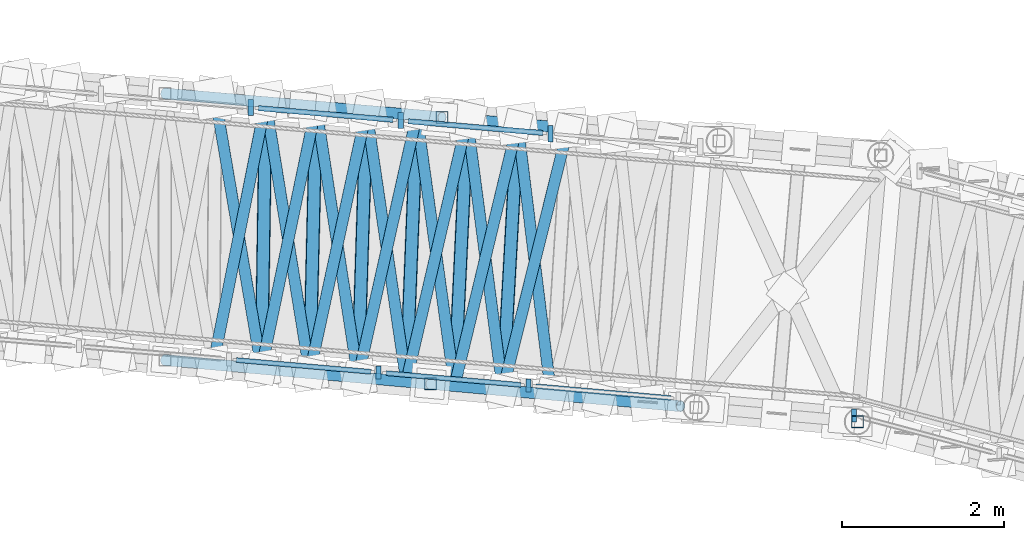
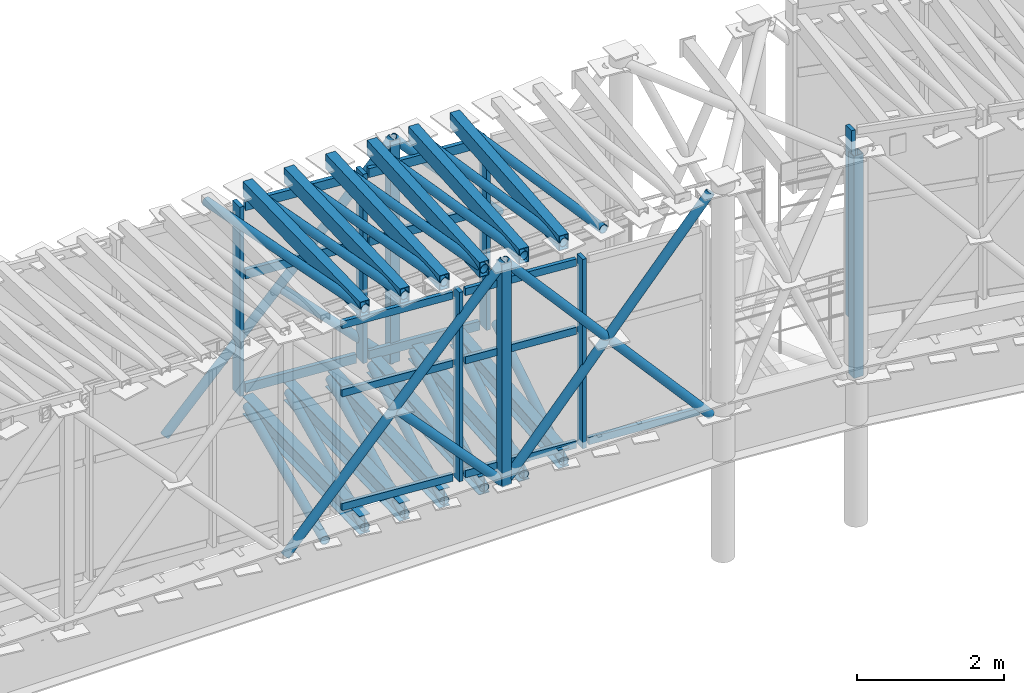
# One storey, part 56 of 144: 50 members, 6 beams, 3 elements without a shape of their own.
"""IFC4 building model written with IfcOpenShell, lengths in metres."""

from ifc_helpers import new_model, si_unit, direction, frame, origin, origin_2d, place, context, subcontext, project, spatial, rectangle, hollow_rectangle, hollow_circle, i_section, extrude, material, material_profile, profile_set, type_object, element, aggregate, save


model = new_model("IFC4")

# Units and contexts
model_context = context("Model", 3, precision=1e-05, world=origin(), true_north=direction((0.0, 1.0)))
body_context = subcontext(model_context, "Body", "Model", "MODEL_VIEW")
ifc_project = project(units=[si_unit("LENGTHUNIT", "METRE"), si_unit("AREAUNIT", "SQUARE_METRE"), si_unit("VOLUMEUNIT", "CUBIC_METRE"), si_unit("PLANEANGLEUNIT", "RADIAN"), si_unit("MASSUNIT", "GRAM", prefix="KILO")], contexts=[model_context])

# Site, building, storey
site_placement = place(None, origin())
site = spatial("IfcSite", under=ifc_project, at=site_placement, CompositionType="ELEMENT")
building_placement = place(site_placement, origin())
building = spatial("IfcBuilding", under=site, at=building_placement, Name="Cinderbank Siding Concert Hall", CompositionType="ELEMENT")
storey_placement = place(building_placement, frame((0.0, 0.0, 5.39990234375)))
storey = spatial("IfcBuildingStorey", under=building, at=storey_placement, Name="L02", CompositionType="ELEMENT", Elevation=5.39990234375)

# Members
ifc_material_1 = material(Name="Structural steel hollow section AS/NZS 1163 Grade C350L0 (350 MPa)", Category="steel")
ifc_material_profile_1 = material_profile(ifc_material_1, hollow_circle(Radius=0.06982421875, WallThickness=0.00634765625, at=origin_2d()), Name="139.7x6.4CHS", Category="LoadBearing")
ifc_profile_set_1 = profile_set([ifc_material_profile_1], Name="Structural steel hollow section AS/NZS 1163 Grade C350L0 (350 MPa)")
member_type_1 = type_object("IfcMemberType", Name="BR-CHS139 139.7x6.4CHS Roof Truss", PredefinedType="BRACE", material=ifc_profile_set_1)
member_1_placement = place(storey_placement, frame((86.031982421875, 101.85009765625, 1.9501953125), z_axis=(0.654371475535, -0.05611969024, 0.754087894329), x_axis=(0.085447554009, 0.996342669725, 0.0)))
element("IfcMember", 1, at=member_1_placement, inside=storey, type_object=member_type_1, Name="L02 Diagonal Brace BR-CHS139 #BRDL-BR-CHS139-L02-0246", PredefinedType="BRACE", context=body_context, shape_type="SweptSolid", body=[
    extrude(hollow_circle(Radius=0.06982421875, WallThickness=0.00634765625, at=origin_2d()), origin(), (0.0, 0.0, 1.0), 5.224853515625),
])
member_2_placement = place(storey_placement, frame((87.751953125, 101.70263671875, 3.909423828125), z_axis=(0.701628131288, -0.060191406004, -0.709996450716), x_axis=(0.085474235884, 0.996340381095, 0.0)))
element("IfcMember", 2, at=member_2_placement, inside=storey, type_object=member_type_1, Name="L02 Diagonal Brace BR-CHS139 #BRDL-BR-CHS139-L02-0247-S27", PredefinedType="BRACE", context=body_context, shape_type="SweptSolid", body=[
    extrude(hollow_circle(Radius=0.06982421875, WallThickness=0.00634765625, at=origin_2d()), origin(), (0.0, 0.0, 1.0), 2.42138671875),
])
member_3_placement = place(storey_placement, frame((89.450927734375, 101.556884765625, 5.89013671875), z_axis=(0.679792345426, -0.05822654655, -0.731089622671), x_axis=(0.085340950407, 0.996351806434, 0.0)))
element("IfcMember", 3, at=member_3_placement, inside=storey, type_object=member_type_1, Name="L02 Diagonal Brace BR-CHS139 #BRDL-BR-CHS139-L02-0250", PredefinedType="BRACE", context=body_context, shape_type="SweptSolid", body=[
    extrude(hollow_circle(Radius=0.06982421875, WallThickness=0.00634765625, at=origin_2d()), origin(), (0.0, 0.0, 1.0), 2.360595703125),
])
member_4_placement = place(storey_placement, frame((86.031982421875, 98.5625, 1.9501953125), z_axis=(0.638262095011, -0.057037806657, 0.767703189184), x_axis=(0.089009532551, 0.996030774181, 0.0)))
element("IfcMember", 4, at=member_4_placement, inside=storey, type_object=member_type_1, Name="L02 Diagonal Brace BR-CHS139 #BRDR-BR-CHS139-L02-0258", PredefinedType="BRACE", context=body_context, shape_type="SweptSolid", body=[
    extrude(hollow_circle(Radius=0.06982421875, WallThickness=0.00634765625, at=origin_2d()), origin(), (0.0, 0.0, 1.0), 5.132080078125),
])
member_5_placement = place(storey_placement, frame((87.679931640625, 98.415283203125, 3.9091796875), z_axis=(0.686263594995, -0.061348897948, -0.724761057801), x_axis=(0.089040452124, 0.996028010593, 0.0)))
element("IfcMember", 5, at=member_5_placement, inside=storey, type_object=member_type_1, Name="L02 Diagonal Brace BR-CHS139 #BRDR-BR-CHS139-L02-0259-S31", PredefinedType="BRACE", context=body_context, shape_type="SweptSolid", body=[
    extrude(hollow_circle(Radius=0.06982421875, WallThickness=0.00634765625, at=origin_2d()), origin(), (0.0, 0.0, 1.0), 2.371826171875),
])
member_6_placement = place(storey_placement, frame((89.3076171875, 98.269775390625, 2.190185546875), z_axis=(0.617059853784, -0.055160005915, 0.784980579757), x_axis=(0.089036629861, 0.996028352279, 0.0)))
element("IfcMember", 6, at=member_6_placement, inside=storey, type_object=member_type_1, Name="L02 Diagonal Brace BR-CHS139 #BRDR-BR-CHS139-L02-0261", PredefinedType="BRACE", context=body_context, shape_type="SweptSolid", body=[
    extrude(hollow_circle(Radius=0.06982421875, WallThickness=0.00634765625, at=origin_2d()), origin(), (0.0, 0.0, 1.0), 5.00146484375),
])
for number, where, z_axis, x_axis, name in (
    (7, (89.3076171875, 98.269775390625, 5.89013671875), (0.662987920877, -0.059225513314, -0.746283696287), (0.088976894944, 0.996033690277, 0.0), "L02 Diagonal Brace BR-CHS139 #BRDR-BR-CHS139-L02-0262"),
    (8, (90.860595703125, 98.130859375, 4.14208984375), (0.662987920877, -0.059225513314, -0.746283696287), (0.088976894944, 0.996033690277, 0.0), "L02 Diagonal Brace BR-CHS139 #BRDR-BR-CHS139-L02-0262-S32"),
):
    element("IfcMember", number, at=place(storey_placement, frame(where, z_axis=z_axis, x_axis=x_axis)), inside=storey, type_object=member_type_1, Name=name, PredefinedType="BRACE", context=body_context, shape_type="SweptSolid", body=[
        extrude(hollow_circle(Radius=0.06982421875, WallThickness=0.00634765625, at=origin_2d()), origin(), (0.0, 0.0, 1.0), 2.3125),
    ])
member_7_placement = place(storey_placement, frame((86.62744140625, 98.50927734375, 2.023681640625), z_axis=(0.196426271364, 0.980429094484, 0.013248041663), x_axis=(-0.980515143664, 0.196443511081, 0.0)))
element("IfcMember", 9, at=member_7_placement, inside=storey, type_object=member_type_1, Name="L02 Diagonal Brace BR-CHS139 #BRST-BR-CHS139-L02-0298", PredefinedType="BRACE", context=body_context, shape_type="SweptSolid", body=[
    extrude(hollow_circle(Radius=0.06982421875, WallThickness=0.00634765625, at=origin_2d()), origin(), (0.0, 0.0, 1.0), 3.298583984375),
])
member_8_placement = place(storey_placement, frame((86.653564453125, 101.796630859375, 5.663818359375), z_axis=(0.168063938253, -0.985691756157, 0.012894747084), x_axis=(0.985773714081, 0.168077912369, 0.0)))
element("IfcMember", 10, at=member_8_placement, inside=storey, type_object=member_type_1, Name="L02 Diagonal Brace BR-CHS139 #BRXR-BR-CHS139-L02-0299", PredefinedType="BRACE", context=body_context, shape_type="SweptSolid", body=[
    extrude(hollow_circle(Radius=0.06982421875, WallThickness=0.00634765625, at=origin_2d()), origin(), (0.0, 0.0, 1.0), 3.38916015625),
])
member_9_placement = place(storey_placement, frame((87.22314453125, 98.4560546875, 2.0673828125), z_axis=(0.203951165807, 0.978891700525, 0.013227267638), x_axis=(-0.978977345508, 0.203969009859, 0.0)))
element("IfcMember", 11, at=member_9_placement, inside=storey, type_object=member_type_1, Name="L02 Diagonal Brace BR-CHS139 #BRST-BR-CHS139-L02-0301", PredefinedType="BRACE", context=body_context, shape_type="SweptSolid", body=[
    extrude(hollow_circle(Radius=0.06982421875, WallThickness=0.00634765625, at=origin_2d()), origin(), (0.0, 0.0, 1.0), 3.303955078125),
])
member_10_placement = place(storey_placement, frame((87.275390625, 101.743408203125, 5.70751953125), z_axis=(0.160489137627, -0.986954098942, 0.01283913101), x_axis=(0.987035455379, 0.160502367041, 0.0)))
element("IfcMember", 12, at=member_10_placement, inside=storey, type_object=member_type_1, Name="L02 Diagonal Brace BR-CHS139 #BRXR-BR-CHS139-L02-0302", PredefinedType="BRACE", context=body_context, shape_type="SweptSolid", body=[
    extrude(hollow_circle(Radius=0.06982421875, WallThickness=0.00634765625, at=origin_2d()), origin(), (0.0, 0.0, 1.0), 3.384765625),
])
member_11_placement = place(storey_placement, frame((87.818603515625, 98.40283203125, 2.111083984375), z_axis=(0.211510765225, 0.977287445742, 0.013131815909), x_axis=(-0.977371720608, 0.211529004528, 0.0)))
element("IfcMember", 13, at=member_11_placement, inside=storey, type_object=member_type_1, Name="L02 Diagonal Brace BR-CHS139 #BRST-BR-CHS139-L02-0304", PredefinedType="BRACE", context=body_context, shape_type="SweptSolid", body=[
    extrude(hollow_circle(Radius=0.06982421875, WallThickness=0.00634765625, at=origin_2d()), origin(), (0.0, 0.0, 1.0), 3.309326171875),
])
member_12_placement = place(storey_placement, frame((87.89697265625, 101.690185546875, 5.7509765625), z_axis=(0.153026631241, -0.988137515462, 0.012926742328), x_axis=(0.98822008503, 0.153039418269, 0.0)))
element("IfcMember", 14, at=member_12_placement, inside=storey, type_object=member_type_1, Name="L02 Diagonal Brace BR-CHS139 #BRXR-BR-CHS139-L02-0305", PredefinedType="BRACE", context=body_context, shape_type="SweptSolid", body=[
    extrude(hollow_circle(Radius=0.06982421875, WallThickness=0.00634765625, at=origin_2d()), origin(), (0.0, 0.0, 1.0), 3.380615234375),
])
member_13_placement = place(storey_placement, frame((88.414306640625, 98.349609375, 2.154541015625), z_axis=(0.218977803346, 0.975640761224, 0.013184334611), x_axis=(-0.975725568478, 0.21899683792, 0.0)))
element("IfcMember", 15, at=member_13_placement, inside=storey, type_object=member_type_1, Name="L02 Diagonal Brace BR-CHS139 #BRST-BR-CHS139-L02-0307", PredefinedType="BRACE", context=body_context, shape_type="SweptSolid", body=[
    extrude(hollow_circle(Radius=0.06982421875, WallThickness=0.00634765625, at=origin_2d()), origin(), (0.0, 0.0, 1.0), 3.314697265625),
])
member_14_placement = place(storey_placement, frame((88.5185546875, 101.636962890625, 5.794677734375), z_axis=(0.145467235652, -0.98927842218, 0.012941667585), x_axis=(0.989361278107, 0.1454794191, 0.0)))
element("IfcMember", 16, at=member_14_placement, inside=storey, type_object=member_type_1, Name="L02 Diagonal Brace BR-CHS139 #BRXR-BR-CHS139-L02-0308", PredefinedType="BRACE", context=body_context, shape_type="SweptSolid", body=[
    extrude(hollow_circle(Radius=0.06982421875, WallThickness=0.00634765625, at=origin_2d()), origin(), (0.0, 0.0, 1.0), 3.376708984375),
])
member_15_placement = place(storey_placement, frame((89.009765625, 98.29638671875, 2.1982421875), z_axis=(0.226445216186, 0.973934993123, 0.013160290161), x_axis=(-0.974019343557, 0.226464828124, 0.0)))
element("IfcMember", 17, at=member_15_placement, inside=storey, type_object=member_type_1, Name="L02 Diagonal Brace BR-CHS139 #BRST-BR-CHS139-L02-0310", PredefinedType="BRACE", context=body_context, shape_type="SweptSolid", body=[
    extrude(hollow_circle(Radius=0.06982421875, WallThickness=0.00634765625, at=origin_2d()), origin(), (0.0, 0.0, 1.0), 3.32080078125),
])
member_16_placement = place(storey_placement, frame((89.14013671875, 101.58349609375, 5.83837890625), z_axis=(0.137892290535, -0.990363422098, 0.012884423997), x_axis=(0.990445636649, 0.137903737598, 0.0)))
element("IfcMember", 18, at=member_16_placement, inside=storey, type_object=member_type_1, Name="L02 Diagonal Brace BR-CHS139 #BRXR-BR-CHS139-L02-0311", PredefinedType="BRACE", context=body_context, shape_type="SweptSolid", body=[
    extrude(hollow_circle(Radius=0.06982421875, WallThickness=0.00634765625, at=origin_2d()), origin(), (0.0, 0.0, 1.0), 3.372802734375),
])
member_17_placement = place(storey_placement, frame((89.605224609375, 98.2431640625, 2.241943359375), z_axis=(0.233974545558, 0.972153961878, 0.013137215701), x_axis=(-0.972237863032, 0.233994738589, 0.0)))
element("IfcMember", 19, at=member_17_placement, inside=storey, type_object=member_type_1, Name="L02 Diagonal Brace BR-CHS139 #BRST-BR-CHS139-L02-0313", PredefinedType="BRACE", context=body_context, shape_type="SweptSolid", body=[
    extrude(hollow_circle(Radius=0.06982421875, WallThickness=0.00634765625, at=origin_2d()), origin(), (0.0, 0.0, 1.0), 3.326416015625),
])
member_18_placement = place(storey_placement, frame((89.76171875, 101.530517578125, 5.8818359375), z_axis=(0.13027298238, -0.991393335876, 0.012969334731), x_axis=(0.991476724381, 0.130283939957, 0.0)))
element("IfcMember", 20, at=member_18_placement, inside=storey, type_object=member_type_1, Name="L02 Diagonal Brace BR-CHS139 #BRXR-BR-CHS139-L02-0314", PredefinedType="BRACE", context=body_context, shape_type="SweptSolid", body=[
    extrude(hollow_circle(Radius=0.06982421875, WallThickness=0.00634765625, at=origin_2d()), origin(), (0.0, 0.0, 1.0), 3.36962890625),
])
member_19_placement = place(storey_placement, frame((90.20068359375, 98.18994140625, 2.28564453125), z_axis=(0.24137722194, 0.97034375776, 0.013039497877), x_axis=(-0.97042626133, 0.241397745061, 0.0)))
element("IfcMember", 21, at=member_19_placement, inside=storey, type_object=member_type_1, Name="L02 Diagonal Brace BR-CHS139 #BRST-BR-CHS139-L02-0316", PredefinedType="BRACE", context=body_context, shape_type="SweptSolid", body=[
    extrude(hollow_circle(Radius=0.06982421875, WallThickness=0.00634765625, at=origin_2d()), origin(), (0.0, 0.0, 1.0), 3.332763671875),
])
member_20_placement = place(storey_placement, frame((90.383544921875, 101.47705078125, 5.925537109375), z_axis=(0.122649425701, -0.992365134502, 0.01298299657), x_axis=(0.992448780717, 0.122659763791, 0.0)))
element("IfcMember", 22, at=member_20_placement, inside=storey, type_object=member_type_1, Name="L02 Diagonal Brace BR-CHS139 #BRXR-BR-CHS139-L02-0317", PredefinedType="BRACE", context=body_context, shape_type="SweptSolid", body=[
    extrude(hollow_circle(Radius=0.06982421875, WallThickness=0.00634765625, at=origin_2d()), origin(), (0.0, 0.0, 1.0), 3.365966796875),
])
ifc_material_profile_2 = material_profile(ifc_material_1, hollow_rectangle(XDim=0.14990234375, YDim=0.14990234375, WallThickness=0.008056640625, at=origin_2d()), Name="150x150x8.0SHS", Category="LoadBearing")
ifc_profile_set_2 = profile_set([ifc_material_profile_2], Name="Structural steel hollow section AS/NZS 1163 Grade C350L0 (350 MPa)")
member_type_2 = type_object("IfcMemberType", Name="BR-SHS150 150x150x8.0SHS Roof Truss", PredefinedType="BRACE", material=ifc_profile_set_2)
for number, where, z_axis, x_axis, name in (
    (23, (89.450927734375, 101.556884765625, 2.190185546875), (0.0, 0.0, 1.0), (1.0, 0.0, 0.0), "L02 Diagonal Brace BR-SHS150 #BRVL-BR-SHS150-L02-0248"),
    (24, (89.3076171875, 98.269775390625, 2.190185546875), (0.0, 0.0, 1.0), (1.0, 0.0, 0.0), "L02 Diagonal Brace BR-SHS150 #BRVR-BR-SHS150-L02-0260"),
    (25, (94.574951171875, 97.802001953125, 2.43017578125), (0.0, 0.0, 1.0), (1.0, 0.0, 0.0), "L02 Diagonal Brace BR-SHS150 #BRVR-BR-SHS150-L02-0351"),
):
    element("IfcMember", number, at=place(storey_placement, frame(where, z_axis=z_axis, x_axis=x_axis)), inside=storey, type_object=member_type_2, Name=name, PredefinedType="BRACE", context=body_context, shape_type="SweptSolid", body=[
        extrude(hollow_rectangle(XDim=0.14990234375, YDim=0.14990234375, WallThickness=0.008056640625, at=origin_2d()), origin(), (0.0, 0.0, 1.0), 3.699951171875),
    ])

# Curtain wall, members
ifc_material_2 = material(Name="Anodised aluminium alloy 6063-T6", Category="aluminium")
curtain_wall_type = type_object("IfcCurtainWallType", Name="CW-15 Unitised Acoustic Curtain Wall 12800x3200", PredefinedType="NOTDEFINED", material=ifc_material_2)
curtain_wall_1_placement = place(storey_placement, origin())
curtain_wall_1 = element("IfcCurtainWall", 26, at=curtain_wall_1_placement, inside=storey, type_object=curtain_wall_type, Name="L02 Curtain Wall CW-15 #158", PredefinedType="NOTDEFINED")
ifc_material_profile_3 = material_profile(ifc_material_2, rectangle(XDim=0.06005859375, YDim=0.159912109375, at=origin_2d()), Name="ALU-MULL-60x160", Category="LoadBearing")
ifc_profile_set_3 = profile_set([ifc_material_profile_3], Name="Anodised aluminium alloy 6063-T6")
member_type_3 = type_object("IfcMemberType", Name="CW-ML1 Mullion 60x160", PredefinedType="MULLION", material=ifc_profile_set_3)
member_21_placement = place(storey_placement, frame((88.668212890625, 98.409423828125, 2.400146484375), z_axis=(0.0, 0.0, 1.0), x_axis=(1.0, 0.0, 0.0)))
member_21 = element("IfcMember", 27, at=member_21_placement, type_object=member_type_3, Name="CW-L02-158 Mullion 5", PredefinedType="MULLION", context=body_context, shape_type="SweptSolid", body=[
    extrude(rectangle(XDim=0.06005859375, YDim=0.159912109375, at=origin_2d()), origin(), (0.0, 0.0, 1.0), 3.14990234375),
])
member_22_placement = place(storey_placement, frame((90.516357421875, 98.247802734375, 2.400146484375), z_axis=(0.0, 0.0, 1.0), x_axis=(1.0, 0.0, 0.0)))
member_22 = element("IfcMember", 28, at=member_22_placement, type_object=member_type_3, Name="CW-L02-158 Mullion 6", PredefinedType="MULLION", context=body_context, shape_type="SweptSolid", body=[
    extrude(rectangle(XDim=0.06005859375, YDim=0.159912109375, at=origin_2d()), origin(), (0.0, 0.0, 1.0), 3.14990234375),
])

# Curtain wall, member
curtain_wall_2_placement = place(storey_placement, origin())
curtain_wall_2 = element("IfcCurtainWall", 29, at=curtain_wall_2_placement, inside=storey, type_object=curtain_wall_type, Name="L02 Curtain Wall CW-15 #160", PredefinedType="NOTDEFINED")
member_23_placement = place(storey_placement, frame((94.534423828125, 97.880615234375, 3.360107421875), z_axis=(0.0, 0.0, 1.0), x_axis=(1.0, 0.0, 0.0)))
member_23 = element("IfcMember", 30, at=member_23_placement, type_object=member_type_3, Name="CW-L02-160 Mullion 0", PredefinedType="MULLION", context=body_context, shape_type="SweptSolid", body=[
    extrude(rectangle(XDim=0.06005859375, YDim=0.159912109375, at=origin_2d()), origin(), (0.0, 0.0, 1.0), 3.14990234375),
])
aggregate(curtain_wall_2, [member_23])

# Curtain wall, members
curtain_wall_3_placement = place(storey_placement, origin())
curtain_wall_3 = element("IfcCurtainWall", 31, at=curtain_wall_3_placement, inside=storey, type_object=curtain_wall_type, Name="L02 Curtain Wall CW-15 #157", PredefinedType="NOTDEFINED")
ifc_material_profile_4 = material_profile(ifc_material_2, rectangle(XDim=0.06494140625, YDim=0.199951171875, at=origin_2d()), Name="ALU-MULL-65x200", Category="LoadBearing")
ifc_profile_set_4 = profile_set([ifc_material_profile_4], Name="Anodised aluminium alloy 6063-T6")
member_type_4 = type_object("IfcMemberType", Name="CW-ML2 Mullion 65x200", PredefinedType="MULLION", material=ifc_profile_set_4)
member_24_placement = place(storey_placement, frame((87.09228515625, 101.67919921875, 2.400146484375), z_axis=(0.0, 0.0, 1.0), x_axis=(1.0, 0.0, 0.0)))
member_24 = element("IfcMember", 32, at=member_24_placement, type_object=member_type_4, Name="CW-L02-157 Mullion 4", PredefinedType="MULLION", context=body_context, shape_type="SweptSolid", body=[
    extrude(rectangle(XDim=0.06494140625, YDim=0.199951171875, at=origin_2d()), origin(), (0.0, 0.0, 1.0), 3.14990234375),
])
member_25_placement = place(storey_placement, frame((88.940185546875, 101.517578125, 2.400146484375), z_axis=(0.0, 0.0, 1.0), x_axis=(1.0, 0.0, 0.0)))
member_25 = element("IfcMember", 33, at=member_25_placement, type_object=member_type_4, Name="CW-L02-157 Mullion 5", PredefinedType="MULLION", context=body_context, shape_type="SweptSolid", body=[
    extrude(rectangle(XDim=0.06494140625, YDim=0.199951171875, at=origin_2d()), origin(), (0.0, 0.0, 1.0), 3.14990234375),
])
member_26_placement = place(storey_placement, frame((90.788330078125, 101.35595703125, 2.400146484375), z_axis=(0.0, 0.0, 1.0), x_axis=(1.0, 0.0, 0.0)))
member_26 = element("IfcMember", 34, at=member_26_placement, type_object=member_type_4, Name="CW-L02-157 Mullion 6", PredefinedType="MULLION", context=body_context, shape_type="SweptSolid", body=[
    extrude(rectangle(XDim=0.06494140625, YDim=0.199951171875, at=origin_2d()), origin(), (0.0, 0.0, 1.0), 3.14990234375),
])

# Member
ifc_material_profile_5 = material_profile(ifc_material_2, rectangle(XDim=0.06005859375, YDim=0.1201171875, at=origin_2d()), Name="ALU-TRAN-60x120", Category="LoadBearing")
ifc_profile_set_5 = profile_set([ifc_material_profile_5], Name="Anodised aluminium alloy 6063-T6")
member_type_5 = type_object("IfcMemberType", Name="CW-TR1 Transom 60x120", PredefinedType="USERDEFINED", material=ifc_profile_set_5)
member_27_placement = place(storey_placement, frame((86.91259765625, 98.56298828125, 2.460205078125), z_axis=(0.996195463137, -0.087146997803, 0.0), x_axis=(0.087146997803, 0.996195463137, 0.0)))
member_27 = element("IfcMember", 35, at=member_27_placement, type_object=member_type_5, Name="CW-L02-158 Transom 4-0", ObjectType="TRANSOM", PredefinedType="USERDEFINED", context=body_context, shape_type="SweptSolid", body=[
    extrude(rectangle(XDim=0.06005859375, YDim=0.1201171875, at=origin_2d()), origin(), (0.0, 0.0, 1.0), 1.669677734375),
])

member_28_placement = place(storey_placement, frame((86.91259765625, 98.56298828125, 4.35302734375), z_axis=(0.996195463137, -0.087146997803, 0.0), x_axis=(0.087146997803, 0.996195463137, 0.0)))
member_28 = element("IfcMember", 36, at=member_28_placement, type_object=member_type_5, Name="CW-L02-158 Transom 4-1", ObjectType="TRANSOM", PredefinedType="USERDEFINED", context=body_context, shape_type="SweptSolid", body=[
    extrude(rectangle(XDim=0.06005859375, YDim=0.1201171875, at=origin_2d()), origin(), (0.0, 0.0, 1.0), 1.669677734375),
])

member_29_placement = place(storey_placement, frame((86.91259765625, 98.56298828125, 5.489990234375), z_axis=(0.996195463137, -0.087146997803, 0.0), x_axis=(0.087146997803, 0.996195463137, 0.0)))
member_29 = element("IfcMember", 37, at=member_29_placement, type_object=member_type_5, Name="CW-L02-158 Transom 4-2", ObjectType="TRANSOM", PredefinedType="USERDEFINED", context=body_context, shape_type="SweptSolid", body=[
    extrude(rectangle(XDim=0.06005859375, YDim=0.1201171875, at=origin_2d()), origin(), (0.0, 0.0, 1.0), 1.669677734375),
])

member_30_placement = place(storey_placement, frame((88.7607421875, 98.4013671875, 2.460205078125), z_axis=(0.996195463137, -0.087146997803, 0.0), x_axis=(0.087146997803, 0.996195463137, 0.0)))
member_30 = element("IfcMember", 38, at=member_30_placement, type_object=member_type_5, Name="CW-L02-158 Transom 5-0", ObjectType="TRANSOM", PredefinedType="USERDEFINED", context=body_context, shape_type="SweptSolid", body=[
    extrude(rectangle(XDim=0.06005859375, YDim=0.1201171875, at=origin_2d()), origin(), (0.0, 0.0, 1.0), 1.669677734375),
])

member_31_placement = place(storey_placement, frame((88.7607421875, 98.4013671875, 4.35302734375), z_axis=(0.996195463137, -0.087146997803, 0.0), x_axis=(0.087146997803, 0.996195463137, 0.0)))
member_31 = element("IfcMember", 39, at=member_31_placement, type_object=member_type_5, Name="CW-L02-158 Transom 5-1", ObjectType="TRANSOM", PredefinedType="USERDEFINED", context=body_context, shape_type="SweptSolid", body=[
    extrude(rectangle(XDim=0.06005859375, YDim=0.1201171875, at=origin_2d()), origin(), (0.0, 0.0, 1.0), 1.669677734375),
])

member_32_placement = place(storey_placement, frame((88.7607421875, 98.4013671875, 5.489990234375), z_axis=(0.996195463137, -0.087146997803, 0.0), x_axis=(0.087146997803, 0.996195463137, 0.0)))
member_32 = element("IfcMember", 40, at=member_32_placement, type_object=member_type_5, Name="CW-L02-158 Transom 5-2", ObjectType="TRANSOM", PredefinedType="USERDEFINED", context=body_context, shape_type="SweptSolid", body=[
    extrude(rectangle(XDim=0.06005859375, YDim=0.1201171875, at=origin_2d()), origin(), (0.0, 0.0, 1.0), 1.669677734375),
])

member_33_placement = place(storey_placement, frame((90.60888671875, 98.23974609375, 2.460205078125), z_axis=(0.996195463137, -0.087146997803, 0.0), x_axis=(0.087146997803, 0.996195463137, 0.0)))
member_33 = element("IfcMember", 41, at=member_33_placement, type_object=member_type_5, Name="CW-L02-158 Transom 6-0", ObjectType="TRANSOM", PredefinedType="USERDEFINED", context=body_context, shape_type="SweptSolid", body=[
    extrude(rectangle(XDim=0.06005859375, YDim=0.1201171875, at=origin_2d()), origin(), (0.0, 0.0, 1.0), 1.669677734375),
])

aggregate(curtain_wall_1, [member_21, member_22, member_27, member_28, member_29, member_30, member_31, member_32, member_33])

ifc_material_profile_6 = material_profile(ifc_material_2, rectangle(XDim=0.06494140625, YDim=0.14990234375, at=origin_2d()), Name="ALU-TRAN-65x150", Category="LoadBearing")
ifc_profile_set_6 = profile_set([ifc_material_profile_6], Name="Anodised aluminium alloy 6063-T6")
member_type_6 = type_object("IfcMemberType", Name="CW-TR2 Transom 65x150", PredefinedType="USERDEFINED", material=ifc_profile_set_6)
member_34_placement = place(storey_placement, frame((87.1845703125, 101.671142578125, 2.460205078125), z_axis=(0.996195463137, -0.087146997803, 0.0), x_axis=(0.087146997803, 0.996195463137, 0.0)))
member_34 = element("IfcMember", 42, at=member_34_placement, type_object=member_type_6, Name="CW-L02-157 Transom 4-0", ObjectType="TRANSOM", PredefinedType="USERDEFINED", context=body_context, shape_type="SweptSolid", body=[
    extrude(rectangle(XDim=0.06494140625, YDim=0.14990234375, at=origin_2d()), origin(), (0.0, 0.0, 1.0), 1.669677734375),
])

member_35_placement = place(storey_placement, frame((87.1845703125, 101.671142578125, 4.35302734375), z_axis=(0.996195463137, -0.087146997803, 0.0), x_axis=(0.087146997803, 0.996195463137, 0.0)))
member_35 = element("IfcMember", 43, at=member_35_placement, type_object=member_type_6, Name="CW-L02-157 Transom 4-1", ObjectType="TRANSOM", PredefinedType="USERDEFINED", context=body_context, shape_type="SweptSolid", body=[
    extrude(rectangle(XDim=0.06494140625, YDim=0.14990234375, at=origin_2d()), origin(), (0.0, 0.0, 1.0), 1.669677734375),
])

member_36_placement = place(storey_placement, frame((87.1845703125, 101.671142578125, 5.489990234375), z_axis=(0.996195463137, -0.087146997803, 0.0), x_axis=(0.087146997803, 0.996195463137, 0.0)))
member_36 = element("IfcMember", 44, at=member_36_placement, type_object=member_type_6, Name="CW-L02-157 Transom 4-2", ObjectType="TRANSOM", PredefinedType="USERDEFINED", context=body_context, shape_type="SweptSolid", body=[
    extrude(rectangle(XDim=0.06494140625, YDim=0.14990234375, at=origin_2d()), origin(), (0.0, 0.0, 1.0), 1.669677734375),
])

member_37_placement = place(storey_placement, frame((89.03271484375, 101.509521484375, 2.460205078125), z_axis=(0.996195463137, -0.087146997803, 0.0), x_axis=(0.087146997803, 0.996195463137, 0.0)))
member_37 = element("IfcMember", 45, at=member_37_placement, type_object=member_type_6, Name="CW-L02-157 Transom 5-0", ObjectType="TRANSOM", PredefinedType="USERDEFINED", context=body_context, shape_type="SweptSolid", body=[
    extrude(rectangle(XDim=0.06494140625, YDim=0.14990234375, at=origin_2d()), origin(), (0.0, 0.0, 1.0), 1.669677734375),
])

member_38_placement = place(storey_placement, frame((89.03271484375, 101.509521484375, 4.35302734375), z_axis=(0.996195463137, -0.087146997803, 0.0), x_axis=(0.087146997803, 0.996195463137, 0.0)))
member_38 = element("IfcMember", 46, at=member_38_placement, type_object=member_type_6, Name="CW-L02-157 Transom 5-1", ObjectType="TRANSOM", PredefinedType="USERDEFINED", context=body_context, shape_type="SweptSolid", body=[
    extrude(rectangle(XDim=0.06494140625, YDim=0.14990234375, at=origin_2d()), origin(), (0.0, 0.0, 1.0), 1.669677734375),
])

member_39_placement = place(storey_placement, frame((89.03271484375, 101.509521484375, 5.489990234375), z_axis=(0.996195463137, -0.087146997803, 0.0), x_axis=(0.087146997803, 0.996195463137, 0.0)))
member_39 = element("IfcMember", 47, at=member_39_placement, type_object=member_type_6, Name="CW-L02-157 Transom 5-2", ObjectType="TRANSOM", PredefinedType="USERDEFINED", context=body_context, shape_type="SweptSolid", body=[
    extrude(rectangle(XDim=0.06494140625, YDim=0.14990234375, at=origin_2d()), origin(), (0.0, 0.0, 1.0), 1.669677734375),
])

aggregate(curtain_wall_3, [member_24, member_25, member_26, member_34, member_35, member_36, member_37, member_38, member_39])

# Beams
ifc_material_3 = material(Name="Structural steel AS/NZS 3679.1 Grade 350 (340 MPa)", Category="steel")
ifc_material_profile_7 = material_profile(ifc_material_3, i_section(OverallWidth=0.1650390625, OverallDepth=0.303955078125, WebThickness=0.006103515625, FlangeThickness=0.01025390625, at=origin_2d()), Name="310UB40.4", Category="LoadBearing")
ifc_profile_set_7 = profile_set([ifc_material_profile_7], Name="Structural steel AS/NZS 3679.1 Grade 350 (340 MPa)")
beam_type = type_object("IfcBeamType", Name="JS-UB310 310UB40.4", PredefinedType="JOIST", material=ifc_profile_set_7)
beam_1_placement = place(storey_placement, frame((87.22314453125, 98.4560546875, 2.115478515625), z_axis=(0.015891049244, 0.999873729305, 0.0), x_axis=(-0.999873729305, 0.015891049244, 0.0)))
element("IfcBeam", 48, at=beam_1_placement, inside=storey, type_object=beam_type, Name="L02 Beam JS-UB310 #1971", PredefinedType="JOIST", context=body_context, shape_type="SweptSolid", body=[
    extrude(i_section(OverallWidth=0.1650390625, OverallDepth=0.303955078125, WebThickness=0.006103515625, FlangeThickness=0.01025390625, at=origin_2d()), origin(), (0.0, 0.0, 1.0), 3.287841796875),
])
beam_2_placement = place(storey_placement, frame((87.818603515625, 98.40283203125, 2.158935546875), z_axis=(0.023832812668, 0.99971595818, 0.0), x_axis=(-0.99971595818, 0.023832812668, 0.0)))
element("IfcBeam", 49, at=beam_2_placement, inside=storey, type_object=beam_type, Name="L02 Beam JS-UB310 #1972", PredefinedType="JOIST", context=body_context, shape_type="SweptSolid", body=[
    extrude(i_section(OverallWidth=0.1650390625, OverallDepth=0.303955078125, WebThickness=0.006103515625, FlangeThickness=0.01025390625, at=origin_2d()), origin(), (0.0, 0.0, 1.0), 3.288330078125),
])
beam_3_placement = place(storey_placement, frame((88.414306640625, 98.349609375, 2.20263671875), z_axis=(0.031695912174, 0.999497558352, 0.0), x_axis=(-0.999497558352, 0.031695912174, 0.0)))
element("IfcBeam", 50, at=beam_3_placement, inside=storey, type_object=beam_type, Name="L02 Beam JS-UB310 #1973", PredefinedType="JOIST", context=body_context, shape_type="SweptSolid", body=[
    extrude(i_section(OverallWidth=0.1650390625, OverallDepth=0.303955078125, WebThickness=0.006103515625, FlangeThickness=0.01025390625, at=origin_2d()), origin(), (0.0, 0.0, 1.0), 3.2890625),
])
beam_4_placement = place(storey_placement, frame((89.009765625, 98.29638671875, 2.246337890625), z_axis=(0.039630161798, 0.999214416567, 0.0), x_axis=(-0.999214416567, 0.039630161798, 0.0)))
element("IfcBeam", 51, at=beam_4_placement, inside=storey, type_object=beam_type, Name="L02 Beam JS-UB310 #1974", PredefinedType="JOIST", context=body_context, shape_type="SweptSolid", body=[
    extrude(i_section(OverallWidth=0.1650390625, OverallDepth=0.303955078125, WebThickness=0.006103515625, FlangeThickness=0.01025390625, at=origin_2d()), origin(), (0.0, 0.0, 1.0), 3.289794921875),
])
beam_5_placement = place(storey_placement, frame((89.605224609375, 98.2431640625, 2.289794921875), z_axis=(0.047551051359, 0.998868808961, 0.0), x_axis=(-0.998868808961, 0.047551051359, 0.0)))
element("IfcBeam", 52, at=beam_5_placement, inside=storey, type_object=beam_type, Name="L02 Beam JS-UB310 #1975", PredefinedType="JOIST", context=body_context, shape_type="SweptSolid", body=[
    extrude(i_section(OverallWidth=0.1650390625, OverallDepth=0.303955078125, WebThickness=0.006103515625, FlangeThickness=0.01025390625, at=origin_2d()), origin(), (0.0, 0.0, 1.0), 3.291015625),
])
beam_6_placement = place(storey_placement, frame((90.20068359375, 98.18994140625, 2.33349609375), z_axis=(0.055543948769, 0.998456243285, 0.0), x_axis=(-0.998456243285, 0.055543948769, 0.0)))
element("IfcBeam", 53, at=beam_6_placement, inside=storey, type_object=beam_type, Name="L02 Beam JS-UB310 #1976", PredefinedType="JOIST", context=body_context, shape_type="SweptSolid", body=[
    extrude(i_section(OverallWidth=0.1650390625, OverallDepth=0.303955078125, WebThickness=0.006103515625, FlangeThickness=0.01025390625, at=origin_2d()), origin(), (0.0, 0.0, 1.0), 3.292236328125),
])

# Members
ifc_material_profile_8 = material_profile(ifc_material_1, hollow_rectangle(XDim=0.14990234375, YDim=0.25, WallThickness=0.009033203125, at=origin_2d()), Name="250x150x9.0RHS", Category="LoadBearing")
ifc_profile_set_8 = profile_set([ifc_material_profile_8], Name="Structural steel hollow section AS/NZS 1163 Grade C350L0 (350 MPa)")
member_type_7 = type_object("IfcMemberType", Name="PR-RHS250 250x150x9.0RHS Roof Truss", PredefinedType="PURLIN", material=ifc_profile_set_8)
member_40_placement = place(storey_placement, frame((87.22314453125, 98.4560546875, 5.70751953125), z_axis=(0.015891049244, 0.999873729305, 0.0), x_axis=(-0.999873729305, 0.015891049244, 0.0)))
element("IfcMember", 54, at=member_40_placement, inside=storey, type_object=member_type_7, Name="L02 Roof Truss Member PR-RHS250 #297", PredefinedType="PURLIN", context=body_context, shape_type="SweptSolid", body=[
    extrude(hollow_rectangle(XDim=0.14990234375, YDim=0.25, WallThickness=0.009033203125, at=origin_2d()), origin(), (0.0, 0.0, 1.0), 3.287841796875),
])
member_41_placement = place(storey_placement, frame((87.818603515625, 98.40283203125, 5.7509765625), z_axis=(0.023832812668, 0.99971595818, 0.0), x_axis=(-0.99971595818, 0.023832812668, 0.0)))
element("IfcMember", 55, at=member_41_placement, inside=storey, type_object=member_type_7, Name="L02 Roof Truss Member PR-RHS250 #300", PredefinedType="PURLIN", context=body_context, shape_type="SweptSolid", body=[
    extrude(hollow_rectangle(XDim=0.14990234375, YDim=0.25, WallThickness=0.009033203125, at=origin_2d()), origin(), (0.0, 0.0, 1.0), 3.288330078125),
])
member_42_placement = place(storey_placement, frame((88.414306640625, 98.349609375, 5.794677734375), z_axis=(0.031695912174, 0.999497558352, 0.0), x_axis=(-0.999497558352, 0.031695912174, 0.0)))
element("IfcMember", 56, at=member_42_placement, inside=storey, type_object=member_type_7, Name="L02 Roof Truss Member PR-RHS250 #303", PredefinedType="PURLIN", context=body_context, shape_type="SweptSolid", body=[
    extrude(hollow_rectangle(XDim=0.14990234375, YDim=0.25, WallThickness=0.009033203125, at=origin_2d()), origin(), (0.0, 0.0, 1.0), 3.2890625),
])
member_43_placement = place(storey_placement, frame((89.009765625, 98.29638671875, 5.83837890625), z_axis=(0.039630161798, 0.999214416567, 0.0), x_axis=(-0.999214416567, 0.039630161798, 0.0)))
element("IfcMember", 57, at=member_43_placement, inside=storey, type_object=member_type_7, Name="L02 Roof Truss Member PR-RHS250 #306", PredefinedType="PURLIN", context=body_context, shape_type="SweptSolid", body=[
    extrude(hollow_rectangle(XDim=0.14990234375, YDim=0.25, WallThickness=0.009033203125, at=origin_2d()), origin(), (0.0, 0.0, 1.0), 3.289794921875),
])
member_44_placement = place(storey_placement, frame((89.605224609375, 98.2431640625, 5.8818359375), z_axis=(0.047551051359, 0.998868808961, 0.0), x_axis=(-0.998868808961, 0.047551051359, 0.0)))
element("IfcMember", 58, at=member_44_placement, inside=storey, type_object=member_type_7, Name="L02 Roof Truss Member PR-RHS250 #309", PredefinedType="PURLIN", context=body_context, shape_type="SweptSolid", body=[
    extrude(hollow_rectangle(XDim=0.14990234375, YDim=0.25, WallThickness=0.009033203125, at=origin_2d()), origin(), (0.0, 0.0, 1.0), 3.291015625),
])
member_45_placement = place(storey_placement, frame((90.20068359375, 98.18994140625, 5.925537109375), z_axis=(0.055543948769, 0.998456243285, 0.0), x_axis=(-0.998456243285, 0.055543948769, 0.0)))
element("IfcMember", 59, at=member_45_placement, inside=storey, type_object=member_type_7, Name="L02 Roof Truss Member PR-RHS250 #312", PredefinedType="PURLIN", context=body_context, shape_type="SweptSolid", body=[
    extrude(hollow_rectangle(XDim=0.14990234375, YDim=0.25, WallThickness=0.009033203125, at=origin_2d()), origin(), (0.0, 0.0, 1.0), 3.292236328125),
])

save(model, "model.ifc")
